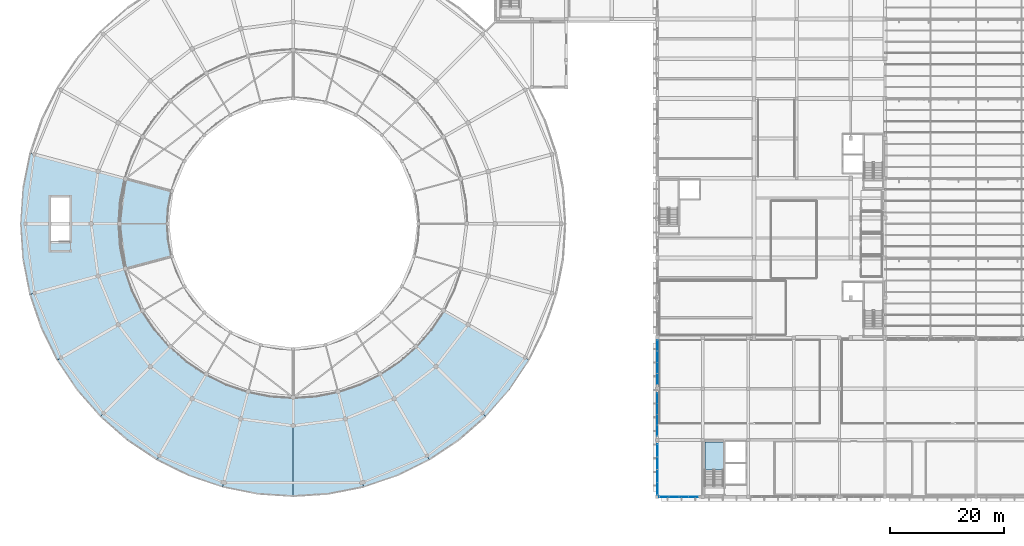
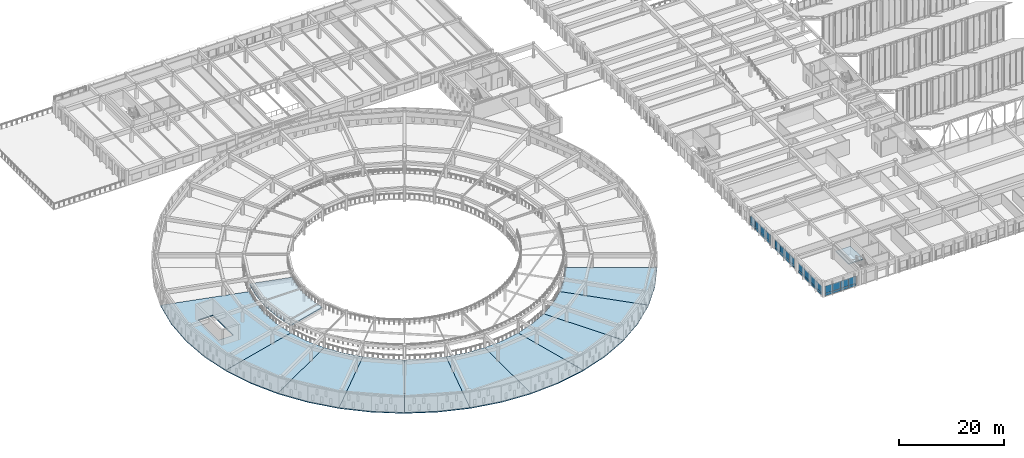
# One storey, part 73 of 155: 32 plates, 12 slabs, 5 elements without a shape of their own.
"""IFC4 building model written with IfcOpenShell, lengths in metres."""

from ifc_helpers import new_model, si_unit, direction, frame, origin, origin_2d, place, context, subcontext, project, spatial, polyline, rectangle, outline, extrude, material, layer, layer_set, type_object, element, aggregate, save


model = new_model("IFC4")

# Units and contexts
model_context = context("Model", 3, precision=1e-05, world=origin(), true_north=direction((0.0, 1.0)))
body_context = subcontext(model_context, "Body", "Model", "MODEL_VIEW")
ifc_project = project(units=[si_unit("LENGTHUNIT", "METRE"), si_unit("AREAUNIT", "SQUARE_METRE"), si_unit("VOLUMEUNIT", "CUBIC_METRE"), si_unit("PLANEANGLEUNIT", "RADIAN"), si_unit("MASSUNIT", "GRAM", prefix="KILO")], contexts=[model_context])

# Site, building, storey
site_placement = place(None, origin())
site = spatial("IfcSite", under=ifc_project, at=site_placement, CompositionType="ELEMENT")
building_placement = place(site_placement, origin())
building = spatial("IfcBuilding", under=site, at=building_placement, Name="Larkveld Mobility Hub", CompositionType="ELEMENT")
storey_placement = place(building_placement, frame((0.0, 0.0, 8.39990234375)))
storey = spatial("IfcBuildingStorey", under=building, at=storey_placement, Name="L02", CompositionType="ELEMENT", Elevation=8.39990234375)

# Curtain wall, plates
ifc_material_1 = material(Name="Anodised aluminium 6063-T6", Category="aluminium")
curtain_wall_type_1 = type_object("IfcCurtainWallType", Name="CW-SYS-04", PredefinedType="NOTDEFINED", material=ifc_material_1)
curtain_wall_1_placement = place(storey_placement, origin())
curtain_wall_1 = element("IfcCurtainWall", 1, at=curtain_wall_1_placement, inside=storey, type_object=curtain_wall_type_1, Name="Public Passage East Service Facade L02 CW-112", PredefinedType="NOTDEFINED")
ifc_material_2 = material(Name="Low-E laminated solar-control double glazing", Category="glass")
ifc_layer_1 = layer(ifc_material_2, 0.028076171875, Name="Low-E laminated solar-control double glazing", Category="glass")
ifc_layer_set_1 = layer_set([ifc_layer_1], Name="Low-E laminated solar-control double glazing")
plate_type_1 = type_object("IfcPlateType", Name="CW-PNL-GL01", PredefinedType="CURTAIN_PANEL", material=ifc_layer_set_1)
plate_1_placement = place(storey_placement, frame((112.0, 8.135986328125, 0.552001953125), z_axis=(0.0, 0.0, 1.0), x_axis=(0.0, -1.0, 0.0)))
plate_1 = element("IfcPlate", 2, at=plate_1_placement, type_object=plate_type_1, Name="CW04 panel 1", PredefinedType="CURTAIN_PANEL", context=body_context, shape_type="SweptSolid", body=[
    extrude(rectangle(XDim=2.197021484375, YDim=0.028076171875, at=origin_2d()), origin(), (0.0, 0.0, 1.0), 1.6259765625),
])
plate_2_placement = place(storey_placement, frame((112.0, 5.9189453125, 0.552001953125), z_axis=(0.0, 0.0, 1.0), x_axis=(0.0, -1.0, 0.0)))
plate_2 = element("IfcPlate", 3, at=plate_2_placement, type_object=plate_type_1, Name="CW04 panel 2", PredefinedType="CURTAIN_PANEL", context=body_context, shape_type="SweptSolid", body=[
    extrude(rectangle(XDim=2.218017578125, YDim=0.028076171875, at=origin_2d()), origin(), (0.0, 0.0, 1.0), 1.6259765625),
])
plate_3_placement = place(storey_placement, frame((112.0, 3.69091796875, 0.552001953125), z_axis=(0.0, 0.0, 1.0), x_axis=(0.0, -1.0, 0.0)))
plate_3 = element("IfcPlate", 4, at=plate_3_placement, type_object=plate_type_1, Name="CW04 panel 3", PredefinedType="CURTAIN_PANEL", context=body_context, shape_type="SweptSolid", body=[
    extrude(rectangle(XDim=2.218017578125, YDim=0.028076171875, at=origin_2d()), origin(), (0.0, 0.0, 1.0), 1.6259765625),
])
plate_4_placement = place(storey_placement, frame((112.0, 1.47412109375, 0.552001953125), z_axis=(0.0, 0.0, 1.0), x_axis=(0.0, -1.0, 0.0)))
plate_4 = element("IfcPlate", 5, at=plate_4_placement, type_object=plate_type_1, Name="CW04 panel 4", PredefinedType="CURTAIN_PANEL", context=body_context, shape_type="SweptSolid", body=[
    extrude(rectangle(XDim=2.197998046875, YDim=0.028076171875, at=origin_2d()), origin(), (0.0, 0.0, 1.0), 1.6259765625),
])

curtain_wall_type_2 = type_object("IfcCurtainWallType", Name="CW-SYS-05", PredefinedType="NOTDEFINED", material=ifc_material_1)
curtain_wall_2_placement = place(storey_placement, origin())
curtain_wall_2 = element("IfcCurtainWall", 6, at=curtain_wall_2_placement, inside=storey, type_object=curtain_wall_type_2, Name="Service Centre South Curtain Wall L02 CW-101", PredefinedType="NOTDEFINED")
ifc_material_3 = material(Name="Acoustic solar-control laminated double glazing", Category="glass")
ifc_layer_2 = layer(ifc_material_3, 0.031982421875, Name="Acoustic solar-control laminated double glazing", Category="glass")
ifc_layer_set_2 = layer_set([ifc_layer_2], Name="Acoustic solar-control laminated double glazing")
plate_type_2 = type_object("IfcPlateType", Name="CW-PNL-GL02", PredefinedType="CURTAIN_PANEL", material=ifc_layer_set_2)
plate_5_placement = place(storey_placement, frame((113.22412109375, 0.0, 0.57763671875), z_axis=(0.0, 0.0, 1.0), x_axis=(1.0, 0.0, 0.0)))
plate_5 = element("IfcPlate", 7, at=plate_5_placement, type_object=plate_type_2, Name="CW05 panel 1", PredefinedType="CURTAIN_PANEL", context=body_context, shape_type="SweptSolid", body=[
    extrude(rectangle(XDim=1.697998046875, YDim=0.031982421875, at=origin_2d()), origin(), (0.0, 0.0, 1.0), 1.700927734375),
])
plate_6_placement = place(storey_placement, frame((114.94189453125, 0.0, 0.57763671875), z_axis=(0.0, 0.0, 1.0), x_axis=(1.0, 0.0, 0.0)))
plate_6 = element("IfcPlate", 8, at=plate_6_placement, type_object=plate_type_2, Name="CW05 panel 2", PredefinedType="CURTAIN_PANEL", context=body_context, shape_type="SweptSolid", body=[
    extrude(rectangle(XDim=1.718017578125, YDim=0.031982421875, at=origin_2d()), origin(), (0.0, 0.0, 1.0), 1.700927734375),
])
plate_7_placement = place(storey_placement, frame((116.66796875, 0.0, 0.57763671875), z_axis=(0.0, 0.0, 1.0), x_axis=(1.0, 0.0, 0.0)))
plate_7 = element("IfcPlate", 9, at=plate_7_placement, type_object=plate_type_2, Name="CW05 panel 3", PredefinedType="CURTAIN_PANEL", context=body_context, shape_type="SweptSolid", body=[
    extrude(rectangle(XDim=1.718017578125, YDim=0.031982421875, at=origin_2d()), origin(), (0.0, 0.0, 1.0), 1.700927734375),
])
plate_8_placement = place(storey_placement, frame((118.385986328125, 0.0, 0.57763671875), z_axis=(0.0, 0.0, 1.0), x_axis=(1.0, 0.0, 0.0)))
plate_8 = element("IfcPlate", 10, at=plate_8_placement, type_object=plate_type_2, Name="CW05 panel 4", PredefinedType="CURTAIN_PANEL", context=body_context, shape_type="SweptSolid", body=[
    extrude(rectangle(XDim=1.697998046875, YDim=0.031982421875, at=origin_2d()), origin(), (0.0, 0.0, 1.0), 1.700927734375),
])

curtain_wall_type_3 = type_object("IfcCurtainWallType", Name="CW-SYS-02", PredefinedType="NOTDEFINED", material=ifc_material_1)
curtain_wall_3_placement = place(storey_placement, origin())
curtain_wall_3 = element("IfcCurtainWall", 11, at=curtain_wall_3_placement, inside=storey, type_object=curtain_wall_type_3, Name="Public Passage East Service Facade L02 CW-110", PredefinedType="NOTDEFINED")
plate_9_placement = place(storey_placement, frame((112.0, 26.59912109375, 0.552001953125), z_axis=(0.0, 0.0, 1.0), x_axis=(0.0, -1.0, 0.0)))
plate_9 = element("IfcPlate", 12, at=plate_9_placement, type_object=plate_type_2, Name="CW02 panel 1", PredefinedType="CURTAIN_PANEL", context=body_context, shape_type="SweptSolid", body=[
    extrude(rectangle(XDim=1.93310546875, YDim=0.031982421875, at=origin_2d()), origin(), (0.0, 0.0, 1.0), 1.6259765625),
])
plate_10_placement = place(storey_placement, frame((112.0, 24.64599609375, 0.552001953125), z_axis=(0.0, 0.0, 1.0), x_axis=(0.0, -1.0, 0.0)))
plate_10 = element("IfcPlate", 13, at=plate_10_placement, type_object=plate_type_2, Name="CW02 panel 2", PredefinedType="CURTAIN_PANEL", context=body_context, shape_type="SweptSolid", body=[
    extrude(rectangle(XDim=1.951904296875, YDim=0.031982421875, at=origin_2d()), origin(), (0.0, 0.0, 1.0), 1.6259765625),
])
plate_11_placement = place(storey_placement, frame((112.0, 22.68408203125, 0.552001953125), z_axis=(0.0, 0.0, 1.0), x_axis=(0.0, -1.0, 0.0)))
plate_11 = element("IfcPlate", 14, at=plate_11_placement, type_object=plate_type_2, Name="CW02 panel 3", PredefinedType="CURTAIN_PANEL", context=body_context, shape_type="SweptSolid", body=[
    extrude(rectangle(XDim=1.951904296875, YDim=0.031982421875, at=origin_2d()), origin(), (0.0, 0.0, 1.0), 1.6259765625),
])
plate_12_placement = place(storey_placement, frame((112.0, 20.73095703125, 0.552001953125), z_axis=(0.0, 0.0, 1.0), x_axis=(0.0, -1.0, 0.0)))
plate_12 = element("IfcPlate", 15, at=plate_12_placement, type_object=plate_type_2, Name="CW02 panel 4", PredefinedType="CURTAIN_PANEL", context=body_context, shape_type="SweptSolid", body=[
    extrude(rectangle(XDim=1.93310546875, YDim=0.031982421875, at=origin_2d()), origin(), (0.0, 0.0, 1.0), 1.6259765625),
])

curtain_wall_type_4 = type_object("IfcCurtainWallType", Name="CW-SYS-03", PredefinedType="NOTDEFINED", material=ifc_material_1)
curtain_wall_4_placement = place(storey_placement, origin())
curtain_wall_4 = element("IfcCurtainWall", 16, at=curtain_wall_4_placement, inside=storey, type_object=curtain_wall_type_4, Name="Public Passage East Service Facade L02 CW-111", PredefinedType="NOTDEFINED")
ifc_material_4 = material(Name="Tinted safety double glazing", Category="glass")
ifc_layer_3 = layer(ifc_material_4, 0.035888671875, Name="Tinted safety double glazing", Category="glass")
ifc_layer_set_3 = layer_set([ifc_layer_3], Name="Tinted safety double glazing")
plate_type_3 = type_object("IfcPlateType", Name="CW-PNL-GL03", PredefinedType="CURTAIN_PANEL", material=ifc_layer_set_3)
plate_13_placement = place(storey_placement, frame((112.0, 17.31005859375, 0.552001953125), z_axis=(0.0, 0.0, 1.0), x_axis=(0.0, -1.0, 0.0)))
plate_13 = element("IfcPlate", 17, at=plate_13_placement, type_object=plate_type_3, Name="CW03 panel 1", PredefinedType="CURTAIN_PANEL", context=body_context, shape_type="SweptSolid", body=[
    extrude(rectangle(XDim=1.85009765625, YDim=0.035888671875, at=origin_2d()), origin(), (0.0, 0.0, 1.0), 1.6259765625),
])
plate_14_placement = place(storey_placement, frame((112.0, 15.43994140625, 0.552001953125), z_axis=(0.0, 0.0, 1.0), x_axis=(0.0, -1.0, 0.0)))
plate_14 = element("IfcPlate", 18, at=plate_14_placement, type_object=plate_type_3, Name="CW03 panel 2", PredefinedType="CURTAIN_PANEL", context=body_context, shape_type="SweptSolid", body=[
    extrude(rectangle(XDim=1.8701171875, YDim=0.035888671875, at=origin_2d()), origin(), (0.0, 0.0, 1.0), 1.6259765625),
])
plate_15_placement = place(storey_placement, frame((112.0, 13.56005859375, 0.552001953125), z_axis=(0.0, 0.0, 1.0), x_axis=(0.0, -1.0, 0.0)))
plate_15 = element("IfcPlate", 19, at=plate_15_placement, type_object=plate_type_3, Name="CW03 panel 3", PredefinedType="CURTAIN_PANEL", context=body_context, shape_type="SweptSolid", body=[
    extrude(rectangle(XDim=1.8701171875, YDim=0.035888671875, at=origin_2d()), origin(), (0.0, 0.0, 1.0), 1.6259765625),
])
plate_16_placement = place(storey_placement, frame((112.0, 11.68994140625, 0.552001953125), z_axis=(0.0, 0.0, 1.0), x_axis=(0.0, -1.0, 0.0)))
plate_16 = element("IfcPlate", 20, at=plate_16_placement, type_object=plate_type_3, Name="CW03 panel 4", PredefinedType="CURTAIN_PANEL", context=body_context, shape_type="SweptSolid", body=[
    extrude(rectangle(XDim=1.85009765625, YDim=0.035888671875, at=origin_2d()), origin(), (0.0, 0.0, 1.0), 1.6259765625),
])

# Plate
ifc_material_5 = material(Name="Insulated fluoropolymer aluminium spandrel", Category="aluminium")
ifc_layer_4 = layer(ifc_material_5, 0.06494140625, Name="Insulated fluoropolymer aluminium spandrel", Category="aluminium")
ifc_layer_set_4 = layer_set([ifc_layer_4], Name="Insulated fluoropolymer aluminium spandrel")
plate_type_4 = type_object("IfcPlateType", Name="CW-PNL-SP01", PredefinedType="CURTAIN_PANEL", material=ifc_layer_set_4)
plate_17_placement = place(storey_placement, frame((113.22412109375, 0.0, 0.000732421875), z_axis=(0.0, 0.0, 1.0), x_axis=(1.0, 0.0, 0.0)))
plate_17 = element("IfcPlate", 21, at=plate_17_placement, type_object=plate_type_4, Name="CW05 spandrel 1", PredefinedType="CURTAIN_PANEL", context=body_context, shape_type="SweptSolid", body=[
    extrude(rectangle(XDim=1.697998046875, YDim=0.06494140625, at=origin_2d()), origin(), (0.0, 0.0, 1.0), 0.56494140625),
])

plate_18_placement = place(storey_placement, frame((114.94189453125, 0.0, 0.000732421875), z_axis=(0.0, 0.0, 1.0), x_axis=(1.0, 0.0, 0.0)))
plate_18 = element("IfcPlate", 22, at=plate_18_placement, type_object=plate_type_4, Name="CW05 spandrel 2", PredefinedType="CURTAIN_PANEL", context=body_context, shape_type="SweptSolid", body=[
    extrude(rectangle(XDim=1.718017578125, YDim=0.06494140625, at=origin_2d()), origin(), (0.0, 0.0, 1.0), 0.56494140625),
])

plate_19_placement = place(storey_placement, frame((116.66796875, 0.0, 0.000732421875), z_axis=(0.0, 0.0, 1.0), x_axis=(1.0, 0.0, 0.0)))
plate_19 = element("IfcPlate", 23, at=plate_19_placement, type_object=plate_type_4, Name="CW05 spandrel 3", PredefinedType="CURTAIN_PANEL", context=body_context, shape_type="SweptSolid", body=[
    extrude(rectangle(XDim=1.718017578125, YDim=0.06494140625, at=origin_2d()), origin(), (0.0, 0.0, 1.0), 0.56494140625),
])

plate_20_placement = place(storey_placement, frame((118.385986328125, 0.0, 0.000732421875), z_axis=(0.0, 0.0, 1.0), x_axis=(1.0, 0.0, 0.0)))
plate_20 = element("IfcPlate", 24, at=plate_20_placement, type_object=plate_type_4, Name="CW05 spandrel 4", PredefinedType="CURTAIN_PANEL", context=body_context, shape_type="SweptSolid", body=[
    extrude(rectangle(XDim=1.697998046875, YDim=0.06494140625, at=origin_2d()), origin(), (0.0, 0.0, 1.0), 0.56494140625),
])

aggregate(curtain_wall_2, [plate_17, plate_5, plate_18, plate_6, plate_19, plate_7, plate_20, plate_8])

plate_21_placement = place(storey_placement, frame((112.0, 17.31005859375, 0.0), z_axis=(0.0, 0.0, 1.0), x_axis=(0.0, -1.0, 0.0)))
plate_21 = element("IfcPlate", 25, at=plate_21_placement, type_object=plate_type_4, Name="CW03 spandrel 1", PredefinedType="CURTAIN_PANEL", context=body_context, shape_type="SweptSolid", body=[
    extrude(rectangle(XDim=1.85009765625, YDim=0.06494140625, at=origin_2d()), origin(), (0.0, 0.0, 1.0), 0.5400390625),
])

plate_22_placement = place(storey_placement, frame((112.0, 15.43994140625, 0.0), z_axis=(0.0, 0.0, 1.0), x_axis=(0.0, -1.0, 0.0)))
plate_22 = element("IfcPlate", 26, at=plate_22_placement, type_object=plate_type_4, Name="CW03 spandrel 2", PredefinedType="CURTAIN_PANEL", context=body_context, shape_type="SweptSolid", body=[
    extrude(rectangle(XDim=1.8701171875, YDim=0.06494140625, at=origin_2d()), origin(), (0.0, 0.0, 1.0), 0.5400390625),
])

plate_23_placement = place(storey_placement, frame((112.0, 13.56005859375, 0.0), z_axis=(0.0, 0.0, 1.0), x_axis=(0.0, -1.0, 0.0)))
plate_23 = element("IfcPlate", 27, at=plate_23_placement, type_object=plate_type_4, Name="CW03 spandrel 3", PredefinedType="CURTAIN_PANEL", context=body_context, shape_type="SweptSolid", body=[
    extrude(rectangle(XDim=1.8701171875, YDim=0.06494140625, at=origin_2d()), origin(), (0.0, 0.0, 1.0), 0.5400390625),
])

plate_24_placement = place(storey_placement, frame((112.0, 11.68994140625, 0.0), z_axis=(0.0, 0.0, 1.0), x_axis=(0.0, -1.0, 0.0)))
plate_24 = element("IfcPlate", 28, at=plate_24_placement, type_object=plate_type_4, Name="CW03 spandrel 4", PredefinedType="CURTAIN_PANEL", context=body_context, shape_type="SweptSolid", body=[
    extrude(rectangle(XDim=1.85009765625, YDim=0.06494140625, at=origin_2d()), origin(), (0.0, 0.0, 1.0), 0.5400390625),
])

aggregate(curtain_wall_4, [plate_21, plate_13, plate_22, plate_14, plate_23, plate_15, plate_24, plate_16])

ifc_material_6 = material(Name="Insulated terracotta-toned aluminium spandrel", Category="masonry")
ifc_layer_5 = layer(ifc_material_6, 0.080078125, Name="Insulated terracotta-toned aluminium spandrel", Category="masonry")
ifc_layer_set_5 = layer_set([ifc_layer_5], Name="Insulated terracotta-toned aluminium spandrel")
plate_type_5 = type_object("IfcPlateType", Name="CW-PNL-SP02", PredefinedType="CURTAIN_PANEL", material=ifc_layer_set_5)
plate_25_placement = place(storey_placement, frame((112.0, 26.59912109375, 0.0), z_axis=(0.0, 0.0, 1.0), x_axis=(0.0, -1.0, 0.0)))
plate_25 = element("IfcPlate", 29, at=plate_25_placement, type_object=plate_type_5, Name="CW02 spandrel 1", PredefinedType="CURTAIN_PANEL", context=body_context, shape_type="SweptSolid", body=[
    extrude(rectangle(XDim=1.93310546875, YDim=0.080078125, at=origin_2d()), origin(), (0.0, 0.0, 1.0), 0.5400390625),
])

plate_26_placement = place(storey_placement, frame((112.0, 24.64599609375, 0.0), z_axis=(0.0, 0.0, 1.0), x_axis=(0.0, -1.0, 0.0)))
plate_26 = element("IfcPlate", 30, at=plate_26_placement, type_object=plate_type_5, Name="CW02 spandrel 2", PredefinedType="CURTAIN_PANEL", context=body_context, shape_type="SweptSolid", body=[
    extrude(rectangle(XDim=1.951904296875, YDim=0.080078125, at=origin_2d()), origin(), (0.0, 0.0, 1.0), 0.5400390625),
])

plate_27_placement = place(storey_placement, frame((112.0, 22.68408203125, 0.0), z_axis=(0.0, 0.0, 1.0), x_axis=(0.0, -1.0, 0.0)))
plate_27 = element("IfcPlate", 31, at=plate_27_placement, type_object=plate_type_5, Name="CW02 spandrel 3", PredefinedType="CURTAIN_PANEL", context=body_context, shape_type="SweptSolid", body=[
    extrude(rectangle(XDim=1.951904296875, YDim=0.080078125, at=origin_2d()), origin(), (0.0, 0.0, 1.0), 0.5400390625),
])

plate_28_placement = place(storey_placement, frame((112.0, 20.73095703125, 0.0), z_axis=(0.0, 0.0, 1.0), x_axis=(0.0, -1.0, 0.0)))
plate_28 = element("IfcPlate", 32, at=plate_28_placement, type_object=plate_type_5, Name="CW02 spandrel 4", PredefinedType="CURTAIN_PANEL", context=body_context, shape_type="SweptSolid", body=[
    extrude(rectangle(XDim=1.93310546875, YDim=0.080078125, at=origin_2d()), origin(), (0.0, 0.0, 1.0), 0.5400390625),
])

aggregate(curtain_wall_3, [plate_25, plate_9, plate_26, plate_10, plate_27, plate_11, plate_28, plate_12])

plate_29_placement = place(storey_placement, frame((112.0, 8.135986328125, 0.0), z_axis=(0.0, 0.0, 1.0), x_axis=(0.0, -1.0, 0.0)))
plate_29 = element("IfcPlate", 33, at=plate_29_placement, type_object=plate_type_5, Name="CW04 spandrel 1", PredefinedType="CURTAIN_PANEL", context=body_context, shape_type="SweptSolid", body=[
    extrude(rectangle(XDim=2.197021484375, YDim=0.080078125, at=origin_2d()), origin(), (0.0, 0.0, 1.0), 0.5400390625),
])

plate_30_placement = place(storey_placement, frame((112.0, 5.9189453125, 0.0), z_axis=(0.0, 0.0, 1.0), x_axis=(0.0, -1.0, 0.0)))
plate_30 = element("IfcPlate", 34, at=plate_30_placement, type_object=plate_type_5, Name="CW04 spandrel 2", PredefinedType="CURTAIN_PANEL", context=body_context, shape_type="SweptSolid", body=[
    extrude(rectangle(XDim=2.218017578125, YDim=0.080078125, at=origin_2d()), origin(), (0.0, 0.0, 1.0), 0.5400390625),
])

plate_31_placement = place(storey_placement, frame((112.0, 3.69091796875, 0.0), z_axis=(0.0, 0.0, 1.0), x_axis=(0.0, -1.0, 0.0)))
plate_31 = element("IfcPlate", 35, at=plate_31_placement, type_object=plate_type_5, Name="CW04 spandrel 3", PredefinedType="CURTAIN_PANEL", context=body_context, shape_type="SweptSolid", body=[
    extrude(rectangle(XDim=2.218017578125, YDim=0.080078125, at=origin_2d()), origin(), (0.0, 0.0, 1.0), 0.5400390625),
])

plate_32_placement = place(storey_placement, frame((112.0, 1.47412109375, 0.0), z_axis=(0.0, 0.0, 1.0), x_axis=(0.0, -1.0, 0.0)))
plate_32 = element("IfcPlate", 36, at=plate_32_placement, type_object=plate_type_5, Name="CW04 spandrel 4", PredefinedType="CURTAIN_PANEL", context=body_context, shape_type="SweptSolid", body=[
    extrude(rectangle(XDim=2.197998046875, YDim=0.080078125, at=origin_2d()), origin(), (0.0, 0.0, 1.0), 0.5400390625),
])

aggregate(curtain_wall_1, [plate_29, plate_1, plate_30, plate_2, plate_31, plate_3, plate_32, plate_4])

# Slabs
ifc_material_7 = material(Name="Concrete C40/50", Category="concrete")
ifc_layer_6 = layer(ifc_material_7, 0.260009765625, Name="Concrete C40/50", Category="concrete")
ifc_layer_set_6 = layer_set([ifc_layer_6], Name="Concrete C40/50")
slab_type_1 = type_object("IfcSlabType", Name="SL-CON-260", PredefinedType="FLOOR", material=ifc_layer_set_6)
slab_1_placement = place(storey_placement, frame((0.0, 0.0, 1.5400390625)))
element("IfcSlab", 37, at=slab_1_placement, inside=storey, type_object=slab_type_1, Name="Helical Ramp Mid Landing L02 West L02-161", PredefinedType="FLOOR", context=body_context, shape_type="SweptSolid", body=[
    extrude(outline(polyline([(18.5390625, 55.89404296875), (17.760986328125, 51.98095703125), (17.5, 48.0), (17.760986328125, 44.01904296875), (18.5390625, 40.10595703125), (26.75, 42.305908203125), (26.18798828125, 45.1279296875), (26.0, 48.0), (26.18798828125, 50.8720703125), (26.75, 53.694091796875), (18.5390625, 55.89404296875)])), origin(), (0.0, 0.0, 1.0), 0.260009765625),
])
ifc_layer_7 = layer(ifc_material_7, 0.239990234375, Name="Concrete C40/50", Category="concrete")
ifc_layer_set_7 = layer_set([ifc_layer_7], Name="Concrete C40/50")
slab_type_2 = type_object("IfcSlabType", Name="SL-DRM-240", PredefinedType="FLOOR", material=ifc_layer_set_7)
slab_2_placement = place(storey_placement, frame((0.0, 0.0, -0.239990234375)))
element("IfcSlab", 38, at=slab_2_placement, inside=storey, type_object=slab_type_2, Name="Drum Parking Deck Slab L02-066", PredefinedType="FLOOR", context=body_context, shape_type="SweptSolid", body=[
    extrude(outline(polyline([(6.5, 24.0400390625), (9.98291015625, 18.827880859375), (14.114990234375, 14.114990234375), (26.43310546875, 26.43310546875), (23.802978515625, 29.43310546875), (21.5859375, 32.75), (6.5, 24.0400390625)])), origin(), (0.0, 0.0, 1.0), 0.239990234375),
])
slab_3_placement = place(storey_placement, frame((0.0, 0.0, -0.239990234375)))
element("IfcSlab", 39, at=slab_3_placement, inside=storey, type_object=slab_type_2, Name="Drum Parking Deck Slab L02-068", PredefinedType="FLOOR", context=body_context, shape_type="SweptSolid", body=[
    extrude(outline(polyline([(24.0400390625, 6.5), (29.662109375, 3.72802734375), (35.596923828125, 1.712890625), (40.10595703125, 18.5390625), (36.327880859375, 19.822021484375), (32.75, 21.5859375), (24.0400390625, 6.5)])), origin(), (0.0, 0.0, 1.0), 0.239990234375),
])
slab_4_placement = place(storey_placement, frame((0.0, 0.0, -0.239990234375)))
element("IfcSlab", 40, at=slab_4_placement, inside=storey, type_object=slab_type_2, Name="Drum Parking Deck Slab L02-070", PredefinedType="FLOOR", context=body_context, shape_type="SweptSolid", body=[
    extrude(outline(polyline([(48.0, 0.080078125), (54.2548828125, 0.489990234375), (60.403076171875, 1.712890625), (55.89404296875, 18.5390625), (51.98095703125, 17.760986328125), (48.0, 17.5), (48.0, 0.080078125)])), origin(), (0.0, 0.0, 1.0), 0.239990234375),
])
slab_5_placement = place(storey_placement, frame((0.0, 0.0, -0.239990234375)))
element("IfcSlab", 41, at=slab_5_placement, inside=storey, type_object=slab_type_2, Name="Drum Parking Deck Slab L02-072", PredefinedType="FLOOR", context=body_context, shape_type="SweptSolid", body=[
    extrude(outline(polyline([(71.9599609375, 6.5), (77.172119140625, 9.98291015625), (81.885009765625, 14.114990234375), (69.56689453125, 26.43310546875), (66.56689453125, 23.802978515625), (63.25, 21.5859375), (71.9599609375, 6.5)])), origin(), (0.0, 0.0, 1.0), 0.239990234375),
])
ifc_layer_8 = layer(ifc_material_7, 0.25, Name="Concrete C40/50", Category="concrete")
ifc_layer_set_8 = layer_set([ifc_layer_8], Name="Concrete C40/50")
slab_type_3 = type_object("IfcSlabType", Name="SL-FLR-250", PredefinedType="FLOOR", material=ifc_layer_set_8)
slab_6_placement = place(storey_placement, frame((0.0, 0.0, -0.25)))
element("IfcSlab", 42, at=slab_6_placement, inside=storey, type_object=slab_type_3, Name="Drum Parking Deck Slab L02-064", PredefinedType="FLOOR", context=body_context, shape_type="SweptSolid", body=[
    extrude(outline(polyline([(1.712890625, 60.403076171875), (0.489990234375, 54.2548828125), (0.080078125, 48.0), (0.489990234375, 41.7451171875), (1.712890625, 35.596923828125), (18.5390625, 40.10595703125), (17.760986328125, 44.01904296875), (17.5, 48.0), (17.760986328125, 51.98095703125), (18.5390625, 55.89404296875), (1.712890625, 60.403076171875)]), holes=[polyline([(5.449951171875, 44.89990234375), (5.449951171875, 52.64990234375), (8.699951171875, 52.64990234375), (8.699951171875, 44.89990234375), (5.449951171875, 44.89990234375)])]), origin(), (0.0, 0.0, 1.0), 0.25),
])
slab_7_placement = place(storey_placement, frame((0.0, 0.0, -0.25)))
element("IfcSlab", 43, at=slab_7_placement, inside=storey, type_object=slab_type_3, Name="Drum Parking Deck Slab L02-065", PredefinedType="FLOOR", context=body_context, shape_type="SweptSolid", body=[
    extrude(outline(polyline([(1.712890625, 35.596923828125), (3.72802734375, 29.662109375), (6.5, 24.0400390625), (21.5859375, 32.75), (19.822021484375, 36.327880859375), (18.5390625, 40.10595703125), (1.712890625, 35.596923828125)])), origin(), (0.0, 0.0, 1.0), 0.25),
])
slab_8_placement = place(storey_placement, frame((0.0, 0.0, -0.25)))
element("IfcSlab", 44, at=slab_8_placement, inside=storey, type_object=slab_type_3, Name="Drum Parking Deck Slab L02-067", PredefinedType="FLOOR", context=body_context, shape_type="SweptSolid", body=[
    extrude(outline(polyline([(14.114990234375, 14.114990234375), (18.827880859375, 9.98291015625), (24.0400390625, 6.5), (32.75, 21.5859375), (29.43310546875, 23.802978515625), (26.43310546875, 26.43310546875), (14.114990234375, 14.114990234375)])), origin(), (0.0, 0.0, 1.0), 0.25),
])
slab_9_placement = place(storey_placement, frame((0.0, 0.0, -0.25)))
element("IfcSlab", 45, at=slab_9_placement, inside=storey, type_object=slab_type_3, Name="Drum Parking Deck Slab L02-069", PredefinedType="FLOOR", context=body_context, shape_type="SweptSolid", body=[
    extrude(outline(polyline([(35.596923828125, 1.712890625), (41.7451171875, 0.489990234375), (48.0, 0.080078125), (48.0, 17.5), (44.01904296875, 17.760986328125), (40.10595703125, 18.5390625), (35.596923828125, 1.712890625)])), origin(), (0.0, 0.0, 1.0), 0.25),
])
slab_10_placement = place(storey_placement, frame((0.0, 0.0, -0.25)))
element("IfcSlab", 46, at=slab_10_placement, inside=storey, type_object=slab_type_3, Name="Drum Parking Deck Slab L02-071", PredefinedType="FLOOR", context=body_context, shape_type="SweptSolid", body=[
    extrude(outline(polyline([(60.403076171875, 1.712890625), (66.337890625, 3.72802734375), (71.9599609375, 6.5), (63.25, 21.5859375), (59.672119140625, 19.822021484375), (55.89404296875, 18.5390625), (60.403076171875, 1.712890625)])), origin(), (0.0, 0.0, 1.0), 0.25),
])
slab_11_placement = place(storey_placement, frame((0.0, 0.0, -0.25)))
element("IfcSlab", 47, at=slab_11_placement, inside=storey, type_object=slab_type_3, Name="Drum Parking Deck Slab L02-073", PredefinedType="FLOOR", context=body_context, shape_type="SweptSolid", body=[
    extrude(outline(polyline([(81.885009765625, 14.114990234375), (86.01708984375, 18.827880859375), (89.5, 24.0400390625), (74.4140625, 32.75), (72.197021484375, 29.43310546875), (69.56689453125, 26.43310546875), (81.885009765625, 14.114990234375)])), origin(), (0.0, 0.0, 1.0), 0.25),
])

# Stair, slab
stair_type = type_object("IfcStairType", Name="ST-HT-04", PredefinedType="HALF_TURN_STAIR", material=ifc_material_7)
stair_placement = place(storey_placement, origin())
stair = element("IfcStair", 48, at=stair_placement, inside=storey, type_object=stair_type, Name="L02 Protected Escape Stair ST4", PredefinedType="HALF_TURN_STAIR")
ifc_layer_9 = layer(ifc_material_7, 0.205078125, Name="Concrete C40/50", Category="concrete")
ifc_layer_set_9 = layer_set([ifc_layer_9], Name="Concrete C40/50")
slab_type_4 = type_object("IfcSlabType", Name="SL-LND-04", PredefinedType="LANDING", material=ifc_layer_set_9)
slab_12_placement = place(storey_placement, frame((0.0, 0.0, 1.59521484375)))
slab_12 = element("IfcSlab", 49, at=slab_12_placement, type_object=slab_type_4, Name="ST4 landing 1", PredefinedType="LANDING", context=body_context, shape_type="SweptSolid", body=[
    extrude(outline(polyline([(123.60009765625, 4.75), (123.60009765625, 9.64990234375), (120.35009765625, 9.64990234375), (120.35009765625, 4.75), (123.60009765625, 4.75)])), origin(), (0.0, 0.0, 1.0), 0.204833984375),
])
aggregate(stair, [slab_12])

save(model, "model.ifc")
